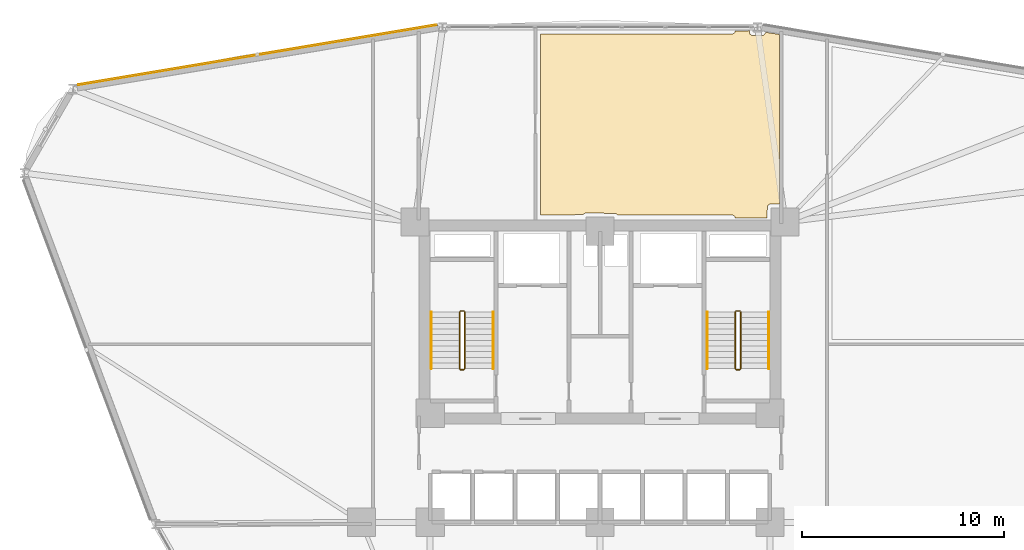
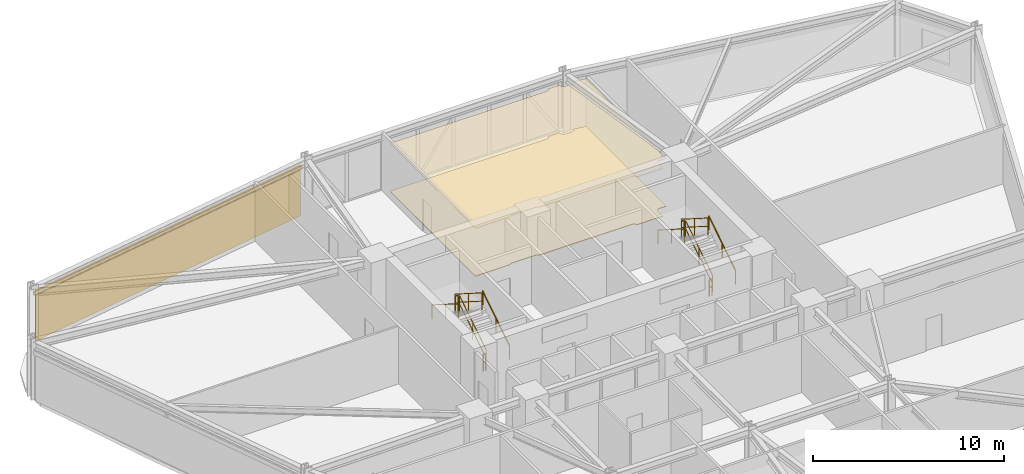
# One storey, part 21 of 22: 12 railings, 3 coverings, 1 shading device.
"""IFC4 building model written with IfcOpenShell, lengths in metres."""

from ifc_helpers import new_model, si_unit, derived_unit, direction, frame, origin, origin_2d, place, context, subcontext, project, spatial, polyline, hollow_rectangle, circle, outline, extrude, source, transform, mapped, material, layer, layer_set, material_profile, profile_set, type_object, element, save


model = new_model("IFC4")

# Units and contexts
model_context = context("Model", 3, precision=1e-05, world=origin(), true_north=direction((0.0, 1.0)))
body_context = subcontext(model_context, "Body", "Model", "MODEL_VIEW")
ifc_project = project(units=[si_unit("LENGTHUNIT", "METRE"), si_unit("AREAUNIT", "SQUARE_METRE"), si_unit("VOLUMEUNIT", "CUBIC_METRE"), si_unit("PLANEANGLEUNIT", "RADIAN"), si_unit("MASSUNIT", "GRAM", prefix="KILO"), derived_unit("THERMALTRANSMITTANCEUNIT", [(si_unit("POWERUNIT", "WATT"), 1), (si_unit("LENGTHUNIT", "METRE"), -2), (si_unit("THERMODYNAMICTEMPERATUREUNIT", "KELVIN"), -1)])], contexts=[model_context])

# Site, building, storey
site_placement = place(None, origin())
site = spatial("IfcSite", under=ifc_project, at=site_placement, CompositionType="ELEMENT")
building_placement = place(site_placement, origin())
building = spatial("IfcBuilding", under=site, at=building_placement, Name="Korsvarv Bourse and Concert Hall", CompositionType="ELEMENT")
storey_placement = place(building_placement, frame((0.0, 0.0, 47.39990234375)))
storey = spatial("IfcBuildingStorey", under=building, at=storey_placement, Name="L11", CompositionType="ELEMENT", Elevation=47.39990234375)

# Coverings
ifc_material_1 = material(Name="Perforated mineral-wool and birch acoustic baffle ceiling", Category="wood")
ifc_layer_1 = layer(ifc_material_1, 0.02490234375)
ifc_layer_set_1 = layer_set([ifc_layer_1], Name="Perforated mineral-wool and birch acoustic baffle ceiling")
covering_type_1 = type_object("IfcCoveringType", Name="COV-CEIL-1", PredefinedType="CEILING", material=ifc_layer_set_1)
covering_1_placement = place(storey_placement, frame((0.0, 0.0, 3.06005859375)))
element("IfcCovering", 1, at=covering_1_placement, inside=storey, type_object=covering_type_1, Name="L11 acoustic baffle ceiling 3", PredefinedType="CEILING", context=body_context, shape_type="SweptSolid", body=[
    extrude(outline(polyline([(33.050048828125, 47.60009765625), (33.050048828125, 56.549560546875), (42.510009765625, 56.549560546875), (42.546142578125, 56.55322265625), (42.5810546875, 56.564208984375), (42.61279296875, 56.581787109375), (42.640380859375, 56.60546875), (42.66259765625, 56.63427734375), (42.6787109375, 56.6669921875), (42.68798828125, 56.7021484375), (43.3828125, 56.70947265625), (43.3828125, 56.652587890625), (43.385986328125, 56.617919921875), (43.39599609375, 56.584716796875), (43.412109375, 56.5537109375), (43.43408203125, 56.526611328125), (43.460693359375, 56.50439453125), (43.490966796875, 56.4873046875), (43.52392578125, 56.476806640625), (43.55859375, 56.472412109375), (43.99267578125, 56.46240234375), (44.027099609375, 56.465087890625), (44.060791015625, 56.474365234375), (44.091796875, 56.48974609375), (44.119384765625, 56.5107421875), (44.142333984375, 56.536865234375), (44.159912109375, 56.56689453125), (44.17138671875, 56.599609375), (44.176513671875, 56.6337890625), (44.870849609375, 56.525146484375), (44.8701171875, 48.139892578125), (44.449951171875, 48.139892578125), (44.415283203125, 48.13671875), (44.381591796875, 48.12646484375), (44.350830078125, 48.110107421875), (44.323486328125, 48.088134765625), (44.30126953125, 48.061279296875), (44.284423828125, 48.03076171875), (44.27392578125, 47.997314453125), (44.27001953125, 47.962646484375), (44.2626953125, 47.43994140625), (42.688720703125, 47.43994140625), (42.68408203125, 47.465087890625), (42.671630859375, 47.499267578125), (42.65234375, 47.5302734375), (42.627197265625, 47.556640625), (42.597412109375, 47.577392578125), (42.56396484375, 47.591796875), (42.5283203125, 47.59912109375), (36.859619140625, 47.60009765625), (36.837646484375, 47.626708984375), (36.810791015625, 47.649169921875), (36.77978515625, 47.666015625), (36.74609375, 47.67626953125), (36.711181640625, 47.679931640625), (35.30126953125, 47.68994140625), (35.266357421875, 47.686767578125), (35.232421875, 47.677001953125), (35.201416015625, 47.66064453125), (35.174072265625, 47.638427734375), (35.1513671875, 47.611572265625), (33.050048828125, 47.60009765625)])), origin(), (0.0, 0.0, 1.0), 0.025146484375),
])
ifc_material_2 = material(Name="Warm iron-oxide extruded terracotta rainscreen tile", Category="ceramic")
ifc_layer_2 = layer(ifc_material_2, 0.044921875)
ifc_layer_set_2 = layer_set([ifc_layer_2], Name="Warm iron-oxide extruded terracotta rainscreen tile")
covering_type_2 = type_object("IfcCoveringType", Name="COV-CLD-TC", PredefinedType="CLADDING", material=ifc_layer_set_2)
covering_2_placement = place(storey_placement, origin())
element("IfcCovering", 2, at=covering_2_placement, inside=storey, type_object=covering_type_2, Name="L11 fluted terracotta cladding panel EW-L11-B04", PredefinedType="CLADDING", context=body_context, shape_type="SweptSolid", body=[
    extrude(outline(polyline([(27.897216796875, 56.97314453125), (10.204345703125, 54.01123046875), (10.197021484375, 54.055419921875), (27.8896484375, 57.017578125), (27.897216796875, 56.97314453125)])), origin(), (0.0, 0.0, 1.0), 2.91015625),
])
ifc_material_3 = material(Name="Calcium-sulphate raised access trading floor with Nordic oak top", Category="wood")
ifc_layer_3 = layer(ifc_material_3, 0.0400390625)
ifc_layer_set_3 = layer_set([ifc_layer_3], Name="Calcium-sulphate raised access trading floor with Nordic oak top")
covering_type_3 = type_object("IfcCoveringType", Name="COV-FLOR-1", PredefinedType="FLOORING", material=ifc_layer_set_3)
covering_3_placement = place(storey_placement, origin())
element("IfcCovering", 3, at=covering_3_placement, inside=storey, type_object=covering_type_3, Name="L11 raised access oak floor finish 3", PredefinedType="FLOORING", context=body_context, shape_type="SweptSolid", body=[
    extrude(outline(polyline([(33.050048828125, 47.60009765625), (33.050048828125, 56.549560546875), (42.510009765625, 56.549560546875), (42.546142578125, 56.55322265625), (42.5810546875, 56.564208984375), (42.61279296875, 56.581787109375), (42.640380859375, 56.60546875), (42.66259765625, 56.63427734375), (42.6787109375, 56.6669921875), (42.68798828125, 56.7021484375), (43.3828125, 56.70947265625), (43.3828125, 56.652587890625), (43.385986328125, 56.617919921875), (43.39599609375, 56.584716796875), (43.412109375, 56.5537109375), (43.43408203125, 56.526611328125), (43.460693359375, 56.50439453125), (43.490966796875, 56.4873046875), (43.52392578125, 56.476806640625), (43.55859375, 56.472412109375), (43.99267578125, 56.46240234375), (44.027099609375, 56.465087890625), (44.060791015625, 56.474365234375), (44.091796875, 56.48974609375), (44.119384765625, 56.5107421875), (44.142333984375, 56.536865234375), (44.159912109375, 56.56689453125), (44.17138671875, 56.599609375), (44.176513671875, 56.6337890625), (44.870849609375, 56.525146484375), (44.8701171875, 48.139892578125), (44.449951171875, 48.139892578125), (44.415283203125, 48.13671875), (44.381591796875, 48.12646484375), (44.350830078125, 48.110107421875), (44.323486328125, 48.088134765625), (44.30126953125, 48.061279296875), (44.284423828125, 48.03076171875), (44.27392578125, 47.997314453125), (44.27001953125, 47.962646484375), (44.2626953125, 47.43994140625), (42.688720703125, 47.43994140625), (42.68408203125, 47.465087890625), (42.671630859375, 47.499267578125), (42.65234375, 47.5302734375), (42.627197265625, 47.556640625), (42.597412109375, 47.577392578125), (42.56396484375, 47.591796875), (42.5283203125, 47.59912109375), (36.859619140625, 47.60009765625), (36.837646484375, 47.626708984375), (36.810791015625, 47.649169921875), (36.77978515625, 47.666015625), (36.74609375, 47.67626953125), (36.711181640625, 47.679931640625), (35.30126953125, 47.68994140625), (35.266357421875, 47.686767578125), (35.232421875, 47.677001953125), (35.201416015625, 47.66064453125), (35.174072265625, 47.638427734375), (35.1513671875, 47.611572265625), (33.050048828125, 47.60009765625)])), origin(), (0.0, 0.0, 1.0), 0.0400390625),
])

# Railings
ifc_material_4 = material(Name="Painted Steel S355 stair well guardrail", Category="steel")
railing_type_1 = type_object("IfcRailingType", Name="RL-ST-GRD", PredefinedType="GUARDRAIL", material=ifc_material_4)
railing_1_placement = place(storey_placement, frame((29.31005859375, 40.0, 0.177490234375)))
element("IfcRailing", 4, at=railing_1_placement, inside=storey, type_object=railing_type_1, Name="L11 ST-T1 stair guard 1", PredefinedType="GUARDRAIL", context=body_context, shape_type="SweptSolid", body=[
    extrude(circle(Radius=0.02392578125, at=origin_2d()), frame((0.0, 0.0, 1.076171875), z_axis=(0.0, 0.844908973607, 0.534910110503), x_axis=(-1.0, 0.0, 0.0)), (0.0, 0.0, 1.0), 3.31396484375),
    extrude(circle(Radius=0.02392578125, at=origin_2d()), frame((0.0, 0.0, 0.550048828125), z_axis=(0.0, 0.844908973607, 0.534910110503), x_axis=(-1.0, 0.0, 0.0)), (0.0, 0.0, 1.0), 3.31396484375),
    extrude(circle(Radius=0.02099609375, at=origin_2d()), origin(), (0.0, 0.0, 1.0), 1.052001953125),
    extrude(circle(Radius=0.02099609375, at=origin_2d()), frame((0.0, 1.39990234375, 0.88623046875)), (0.0, 0.0, 1.0), 1.052001953125),
    extrude(circle(Radius=0.02099609375, at=origin_2d()), frame((0.0, 2.800048828125, 1.772705078125)), (0.0, 0.0, 1.0), 1.052001953125),
])
railing_2_placement = place(storey_placement, frame((29.260009765625, 42.85009765625, 1.9501953125)))
element("IfcRailing", 5, at=railing_2_placement, inside=storey, type_object=railing_type_1, Name="L11 ST-T1 stair guard 2", PredefinedType="GUARDRAIL", context=body_context, shape_type="SweptSolid", body=[
    extrude(circle(Radius=0.02392578125, at=origin_2d()), frame((0.0, 0.0, 1.076171875), z_axis=(-1.0, 0.0, 0.0), x_axis=(0.0, -1.0, 0.0)), (0.0, 0.0, 1.0), 0.159912109375),
    extrude(circle(Radius=0.02392578125, at=origin_2d()), frame((0.0, 0.0, 0.550048828125), z_axis=(-1.0, 0.0, 0.0), x_axis=(0.0, -1.0, 0.0)), (0.0, 0.0, 1.0), 0.159912109375),
    extrude(circle(Radius=0.02099609375, at=origin_2d()), origin(), (0.0, 0.0, 1.0), 1.052001953125),
    extrude(circle(Radius=0.02099609375, at=origin_2d()), frame((-0.159912109375, 0.0, 0.0)), (0.0, 0.0, 1.0), 1.052001953125),
])
railing_3_placement = place(storey_placement, frame((29.050048828125, 42.800048828125, 2.12744140625)))
element("IfcRailing", 6, at=railing_3_placement, inside=storey, type_object=railing_type_1, Name="L11 ST-T1 stair guard 3", PredefinedType="GUARDRAIL", context=body_context, shape_type="SweptSolid", body=[
    extrude(circle(Radius=0.02392578125, at=origin_2d()), frame((0.0, 0.0, 1.076171875), z_axis=(0.0, -0.844908973607, 0.534910110503), x_axis=(1.0, 0.0, 0.0)), (0.0, 0.0, 1.0), 3.31396484375),
    extrude(circle(Radius=0.02392578125, at=origin_2d()), frame((0.0, 0.0, 0.550048828125), z_axis=(0.0, -0.844908973607, 0.534910110503), x_axis=(1.0, 0.0, 0.0)), (0.0, 0.0, 1.0), 3.31396484375),
    extrude(circle(Radius=0.02099609375, at=origin_2d()), origin(), (0.0, 0.0, 1.0), 1.052001953125),
    extrude(circle(Radius=0.02099609375, at=origin_2d()), frame((0.0, -1.39990234375, 0.88623046875)), (0.0, 0.0, 1.0), 1.052001953125),
    extrude(circle(Radius=0.02099609375, at=origin_2d()), frame((0.0, -2.800048828125, 1.772705078125)), (0.0, 0.0, 1.0), 1.052001953125),
])
railing_4_placement = place(storey_placement, frame((29.260009765625, 39.949951171875, 0.0)))
element("IfcRailing", 7, at=railing_4_placement, inside=storey, type_object=railing_type_1, Name="L11 ST-T1 stair guard 4", PredefinedType="GUARDRAIL", context=body_context, shape_type="SweptSolid", body=[
    extrude(circle(Radius=0.02392578125, at=origin_2d()), frame((0.0, 0.0, 1.076171875), z_axis=(-1.0, 0.0, 0.0), x_axis=(0.0, -1.0, 0.0)), (0.0, 0.0, 1.0), 0.159912109375),
    extrude(circle(Radius=0.02392578125, at=origin_2d()), frame((0.0, 0.0, 0.550048828125), z_axis=(-1.0, 0.0, 0.0), x_axis=(0.0, -1.0, 0.0)), (0.0, 0.0, 1.0), 0.159912109375),
    extrude(circle(Radius=0.02099609375, at=origin_2d()), origin(), (0.0, 0.0, 1.0), 1.052001953125),
    extrude(circle(Radius=0.02099609375, at=origin_2d()), frame((-0.159912109375, 0.0, 0.0)), (0.0, 0.0, 1.0), 1.052001953125),
])
railing_5_placement = place(storey_placement, frame((42.949951171875, 40.0, 0.177490234375)))
element("IfcRailing", 8, at=railing_5_placement, inside=storey, type_object=railing_type_1, Name="L11 ST-T2 stair guard 1", PredefinedType="GUARDRAIL", context=body_context, shape_type="SweptSolid", body=[
    extrude(circle(Radius=0.02392578125, at=origin_2d()), frame((0.0, 0.0, 1.076171875), z_axis=(0.0, 0.844908973607, 0.534910110503), x_axis=(-1.0, 0.0, 0.0)), (0.0, 0.0, 1.0), 3.31396484375),
    extrude(circle(Radius=0.02392578125, at=origin_2d()), frame((0.0, 0.0, 0.550048828125), z_axis=(0.0, 0.844908973607, 0.534910110503), x_axis=(-1.0, 0.0, 0.0)), (0.0, 0.0, 1.0), 3.31396484375),
    extrude(circle(Radius=0.02099609375, at=origin_2d()), origin(), (0.0, 0.0, 1.0), 1.052001953125),
    extrude(circle(Radius=0.02099609375, at=origin_2d()), frame((0.0, 1.39990234375, 0.88623046875)), (0.0, 0.0, 1.0), 1.052001953125),
    extrude(circle(Radius=0.02099609375, at=origin_2d()), frame((0.0, 2.800048828125, 1.772705078125)), (0.0, 0.0, 1.0), 1.052001953125),
])
railing_6_placement = place(storey_placement, frame((42.89990234375, 42.85009765625, 1.9501953125)))
element("IfcRailing", 9, at=railing_6_placement, inside=storey, type_object=railing_type_1, Name="L11 ST-T2 stair guard 2", PredefinedType="GUARDRAIL", context=body_context, shape_type="SweptSolid", body=[
    extrude(circle(Radius=0.02392578125, at=origin_2d()), frame((0.0, 0.0, 1.076171875), z_axis=(-1.0, 0.0, 0.0), x_axis=(0.0, -1.0, 0.0)), (0.0, 0.0, 1.0), 0.159912109375),
    extrude(circle(Radius=0.02392578125, at=origin_2d()), frame((0.0, 0.0, 0.550048828125), z_axis=(-1.0, 0.0, 0.0), x_axis=(0.0, -1.0, 0.0)), (0.0, 0.0, 1.0), 0.159912109375),
    extrude(circle(Radius=0.02099609375, at=origin_2d()), origin(), (0.0, 0.0, 1.0), 1.052001953125),
    extrude(circle(Radius=0.02099609375, at=origin_2d()), frame((-0.159912109375, 0.0, 0.0)), (0.0, 0.0, 1.0), 1.052001953125),
])
railing_7_placement = place(storey_placement, frame((42.68994140625, 42.800048828125, 2.12744140625)))
element("IfcRailing", 10, at=railing_7_placement, inside=storey, type_object=railing_type_1, Name="L11 ST-T2 stair guard 3", PredefinedType="GUARDRAIL", context=body_context, shape_type="SweptSolid", body=[
    extrude(circle(Radius=0.02392578125, at=origin_2d()), frame((0.0, 0.0, 1.076171875), z_axis=(0.0, -0.844908973607, 0.534910110503), x_axis=(1.0, 0.0, 0.0)), (0.0, 0.0, 1.0), 3.31396484375),
    extrude(circle(Radius=0.02392578125, at=origin_2d()), frame((0.0, 0.0, 0.550048828125), z_axis=(0.0, -0.844908973607, 0.534910110503), x_axis=(1.0, 0.0, 0.0)), (0.0, 0.0, 1.0), 3.31396484375),
    extrude(circle(Radius=0.02099609375, at=origin_2d()), origin(), (0.0, 0.0, 1.0), 1.052001953125),
    extrude(circle(Radius=0.02099609375, at=origin_2d()), frame((0.0, -1.39990234375, 0.88623046875)), (0.0, 0.0, 1.0), 1.052001953125),
    extrude(circle(Radius=0.02099609375, at=origin_2d()), frame((0.0, -2.800048828125, 1.772705078125)), (0.0, 0.0, 1.0), 1.052001953125),
])
railing_8_placement = place(storey_placement, frame((42.89990234375, 39.949951171875, 0.0)))
element("IfcRailing", 11, at=railing_8_placement, inside=storey, type_object=railing_type_1, Name="L11 ST-T2 stair guard 4", PredefinedType="GUARDRAIL", context=body_context, shape_type="SweptSolid", body=[
    extrude(circle(Radius=0.02392578125, at=origin_2d()), frame((0.0, 0.0, 1.076171875), z_axis=(-1.0, 0.0, 0.0), x_axis=(0.0, -1.0, 0.0)), (0.0, 0.0, 1.0), 0.159912109375),
    extrude(circle(Radius=0.02392578125, at=origin_2d()), frame((0.0, 0.0, 0.550048828125), z_axis=(-1.0, 0.0, 0.0), x_axis=(0.0, -1.0, 0.0)), (0.0, 0.0, 1.0), 0.159912109375),
    extrude(circle(Radius=0.02099609375, at=origin_2d()), origin(), (0.0, 0.0, 1.0), 1.052001953125),
    extrude(circle(Radius=0.02099609375, at=origin_2d()), frame((-0.159912109375, 0.0, 0.0)), (0.0, 0.0, 1.0), 1.052001953125),
])
ifc_material_5 = material(Name="Brushed stainless Steel S355 tubular handrail", Category="steel")
railing_type_2 = type_object("IfcRailingType", Name="RL-ST-HND", PredefinedType="HANDRAIL", material=ifc_material_5)
railing_9_placement = place(storey_placement, frame((30.7099609375, 40.0, 0.177490234375)))
element("IfcRailing", 12, at=railing_9_placement, inside=storey, type_object=railing_type_2, Name="L11 ST-T1 stair handrail 1", PredefinedType="HANDRAIL", context=body_context, shape_type="SweptSolid", body=[
    extrude(circle(Radius=0.02392578125, at=origin_2d()), frame((0.0, 0.0, 0.8759765625), z_axis=(0.0, 0.844908973607, 0.534910110503), x_axis=(-1.0, 0.0, 0.0)), (0.0, 0.0, 1.0), 3.31396484375),
    extrude(circle(Radius=0.02099609375, at=origin_2d()), origin(), (0.0, 0.0, 1.0), 0.851806640625),
    extrude(circle(Radius=0.02099609375, at=origin_2d()), frame((0.0, 1.39990234375, 0.88623046875)), (0.0, 0.0, 1.0), 0.851806640625),
    extrude(circle(Radius=0.02099609375, at=origin_2d()), frame((0.0, 2.800048828125, 1.772705078125)), (0.0, 0.0, 1.0), 0.851806640625),
])
railing_10_placement = place(storey_placement, frame((27.64990234375, 42.800048828125, 2.12744140625)))
element("IfcRailing", 13, at=railing_10_placement, inside=storey, type_object=railing_type_2, Name="L11 ST-T1 stair handrail 2", PredefinedType="HANDRAIL", context=body_context, shape_type="SweptSolid", body=[
    extrude(circle(Radius=0.02392578125, at=origin_2d()), frame((0.0, 0.0, 0.8759765625), z_axis=(0.0, -0.844908973607, 0.534910110503), x_axis=(1.0, 0.0, 0.0)), (0.0, 0.0, 1.0), 3.31396484375),
    extrude(circle(Radius=0.02099609375, at=origin_2d()), origin(), (0.0, 0.0, 1.0), 0.851806640625),
    extrude(circle(Radius=0.02099609375, at=origin_2d()), frame((0.0, -1.39990234375, 0.88623046875)), (0.0, 0.0, 1.0), 0.851806640625),
    extrude(circle(Radius=0.02099609375, at=origin_2d()), frame((0.0, -2.800048828125, 1.772705078125)), (0.0, 0.0, 1.0), 0.851806640625),
])
railing_11_placement = place(storey_placement, frame((44.35009765625, 40.0, 0.177490234375)))
element("IfcRailing", 14, at=railing_11_placement, inside=storey, type_object=railing_type_2, Name="L11 ST-T2 stair handrail 1", PredefinedType="HANDRAIL", context=body_context, shape_type="SweptSolid", body=[
    extrude(circle(Radius=0.02392578125, at=origin_2d()), frame((0.0, 0.0, 0.8759765625), z_axis=(0.0, 0.844908973607, 0.534910110503), x_axis=(-1.0, 0.0, 0.0)), (0.0, 0.0, 1.0), 3.31396484375),
    extrude(circle(Radius=0.02099609375, at=origin_2d()), origin(), (0.0, 0.0, 1.0), 0.851806640625),
    extrude(circle(Radius=0.02099609375, at=origin_2d()), frame((0.0, 1.39990234375, 0.88623046875)), (0.0, 0.0, 1.0), 0.851806640625),
    extrude(circle(Radius=0.02099609375, at=origin_2d()), frame((0.0, 2.800048828125, 1.772705078125)), (0.0, 0.0, 1.0), 0.851806640625),
])
railing_12_placement = place(storey_placement, frame((41.2900390625, 42.800048828125, 2.12744140625)))
element("IfcRailing", 15, at=railing_12_placement, inside=storey, type_object=railing_type_2, Name="L11 ST-T2 stair handrail 2", PredefinedType="HANDRAIL", context=body_context, shape_type="SweptSolid", body=[
    extrude(circle(Radius=0.02392578125, at=origin_2d()), frame((0.0, 0.0, 0.8759765625), z_axis=(0.0, -0.844908973607, 0.534910110503), x_axis=(1.0, 0.0, 0.0)), (0.0, 0.0, 1.0), 3.31396484375),
    extrude(circle(Radius=0.02099609375, at=origin_2d()), origin(), (0.0, 0.0, 1.0), 0.851806640625),
    extrude(circle(Radius=0.02099609375, at=origin_2d()), frame((0.0, -1.39990234375, 0.88623046875)), (0.0, 0.0, 1.0), 0.851806640625),
    extrude(circle(Radius=0.02099609375, at=origin_2d()), frame((0.0, -2.800048828125, 1.772705078125)), (0.0, 0.0, 1.0), 0.851806640625),
])

# Shading device
ifc_material_6 = material(Name="Glazed extruded architectural terracotta", Category="ceramic")
ifc_material_profile = material_profile(ifc_material_6, hollow_rectangle(XDim=0.090087890625, YDim=0.260009765625, WallThickness=0.011962890625, at=origin_2d()), Name="TC-BAG 90x260")
ifc_profile_set = profile_set([ifc_material_profile], Name="Glazed extruded architectural terracotta")
shading_device_type = type_object("IfcShadingDeviceType", Name="SHD-BAG-1", PredefinedType="USERDEFINED", material=ifc_profile_set)
shared_shape = source(origin(), body_context, "Body", "SweptSolid", [
    extrude(hollow_rectangle(XDim=0.090087890625, YDim=0.260009765625, WallThickness=0.011962890625, at=origin_2d()), origin(), (0.0, 0.0, 1.0), 18.09912109375),
])
shading_device_placement = place(storey_placement, frame((27.969482421875, 57.02587890625, 3.070068359375), z_axis=(-0.986273350987, -0.165120795577, 0.0), x_axis=(0.165120795577, -0.986273350987, 0.0)))
element("IfcShadingDevice", 16, at=shading_device_placement, inside=storey, type_object=shading_device_type, Name="L11 terracotta baguette sunshade EW-L11-B04", ObjectType="BAGUETTE", PredefinedType="USERDEFINED", context=body_context, shape_type="MappedRepresentation", body=[
    mapped(shared_shape, transform((0.0, 0.0, 0.0), scale=1.0)),
])

save(model, "model.ifc")
